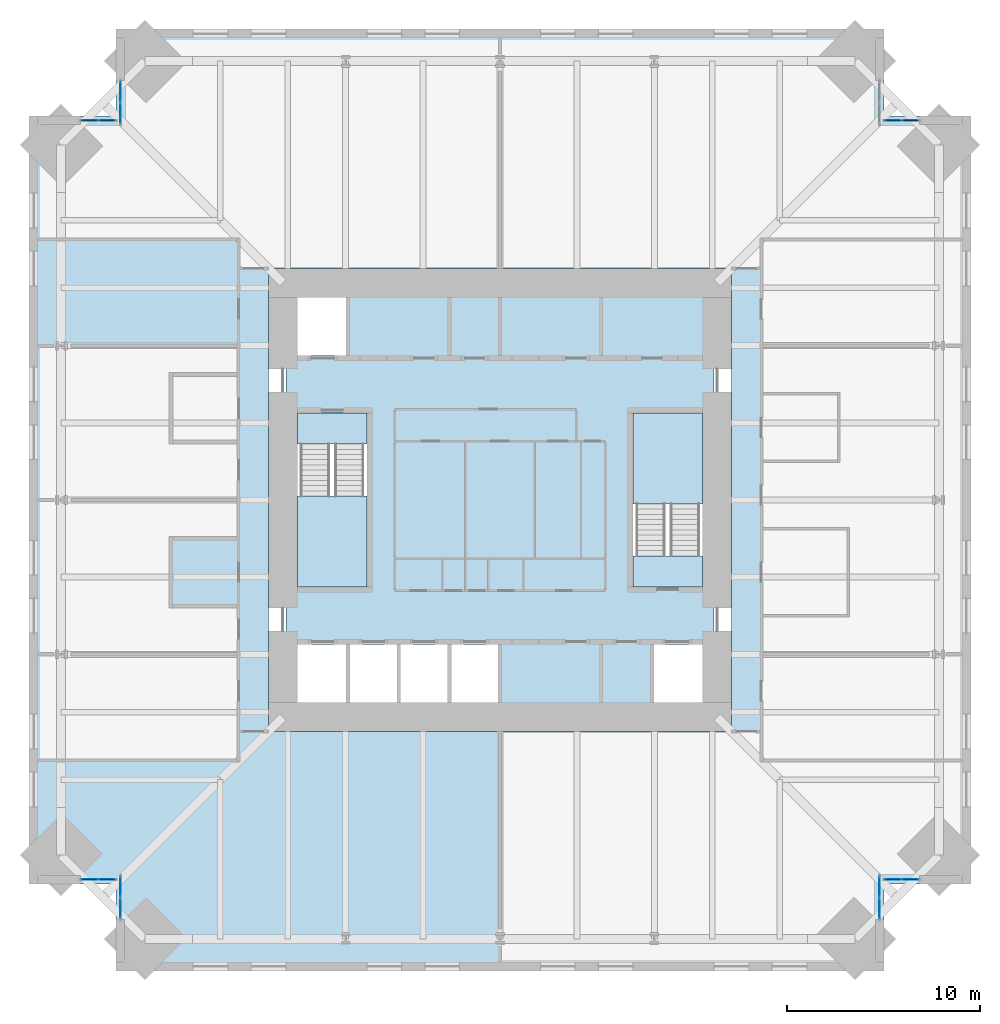
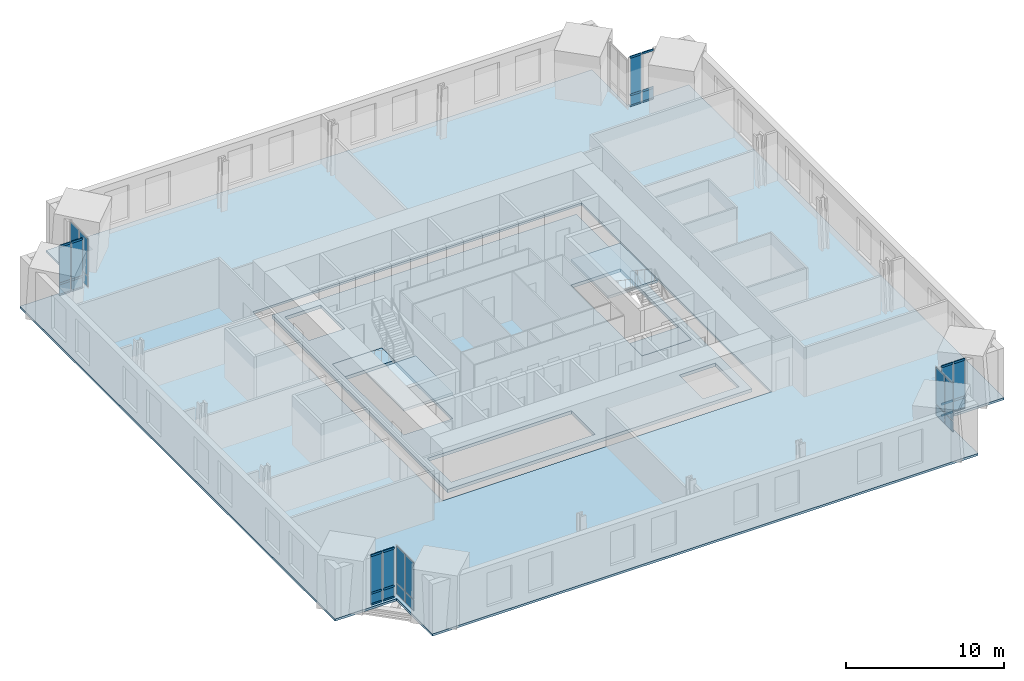
# One storey, part 9 of 15: 27 plates, 24 members, 6 slabs, 9 elements without a shape of their own.
"""IFC4 building model written with IfcOpenShell, lengths in metres."""

from ifc_helpers import new_model, si_unit, direction, frame, origin, origin_2d, place, context, subcontext, project, spatial, polyline, rectangle, hollow_rectangle, outline, extrude, material, layer, layer_set, material_profile, profile_set, type_object, element, aggregate, save


model = new_model("IFC4")

# Units and contexts
model_context = context("Model", 3, precision=1e-05, world=origin(), true_north=direction((0.0, 1.0)))
body_context = subcontext(model_context, "Body", "Model", "MODEL_VIEW")
ifc_project = project(units=[si_unit("LENGTHUNIT", "METRE"), si_unit("AREAUNIT", "SQUARE_METRE"), si_unit("VOLUMEUNIT", "CUBIC_METRE"), si_unit("PLANEANGLEUNIT", "RADIAN"), si_unit("MASSUNIT", "GRAM", prefix="KILO")], contexts=[model_context])

# Site, building, storey
site_placement = place(None, origin())
site = spatial("IfcSite", under=ifc_project, at=site_placement, CompositionType="ELEMENT")
building_placement = place(site_placement, origin())
building = spatial("IfcBuilding", under=site, at=building_placement, Name="Peilmerk Tower", CompositionType="ELEMENT")
storey_placement = place(building_placement, frame((0.0, 0.0, 201.800048828125)))
storey = spatial("IfcBuildingStorey", under=building, at=storey_placement, Name="L43", CompositionType="ELEMENT", Elevation=201.800048828125)

# Curtain wall, members
ifc_material_1 = material(Name="Aluminium stick curtain wall", Category="aluminium")
curtain_wall_type = type_object("IfcCurtainWallType", Name="CW4 stick curtain wall, 2250 module", PredefinedType="NOTDEFINED", material=ifc_material_1)
curtain_wall_1_placement = place(storey_placement, origin())
curtain_wall_1 = element("IfcCurtainWall", 1, at=curtain_wall_1_placement, inside=storey, type_object=curtain_wall_type, Name="Curtain wall CW4 NEB L43", PredefinedType="NOTDEFINED")
ifc_material_2 = material(Name="Aluminium EN AW-6063 T6", Category="aluminium")
ifc_material_profile = material_profile(ifc_material_2, hollow_rectangle(XDim=0.06494140625, YDim=0.14990234375, WallThickness=0.0029296875, at=origin_2d()), Name="AL 150x65x3")
ifc_profile_set = profile_set([ifc_material_profile], Name="Aluminium EN AW-6063 T6")
member_type = type_object("IfcMemberType", Name="CW4-T AL 150x65x3 transom", PredefinedType="USERDEFINED", material=ifc_profile_set)
member_1_placement = place(storey_placement, frame((19.965087890625, 19.675048828125, 0.032470703125), z_axis=(1.0, 0.0, 0.0), x_axis=(0.0, 1.0, 0.0)))
member_1 = element("IfcMember", 2, at=member_1_placement, type_object=member_type, Name="CW4 transom 1.1", ObjectType="TRANSOM", PredefinedType="USERDEFINED", context=body_context, shape_type="SweptSolid", body=[
    extrude(hollow_rectangle(XDim=0.06494140625, YDim=0.14990234375, WallThickness=0.0029296875, at=origin_2d()), origin(), (0.0, 0.0, 1.0), 0.82177734375),
])
member_2_placement = place(storey_placement, frame((19.965087890625, 19.675048828125, 0.89990234375), z_axis=(1.0, 0.0, 0.0), x_axis=(0.0, 1.0, 0.0)))
member_2 = element("IfcMember", 3, at=member_2_placement, type_object=member_type, Name="CW4 transom 1.2", ObjectType="TRANSOM", PredefinedType="USERDEFINED", context=body_context, shape_type="SweptSolid", body=[
    extrude(hollow_rectangle(XDim=0.06494140625, YDim=0.14990234375, WallThickness=0.0029296875, at=origin_2d()), origin(), (0.0, 0.0, 1.0), 0.82177734375),
])
member_3_placement = place(storey_placement, frame((19.965087890625, 19.675048828125, 3.79736328125), z_axis=(1.0, 0.0, 0.0), x_axis=(0.0, 1.0, 0.0)))
member_3 = element("IfcMember", 4, at=member_3_placement, type_object=member_type, Name="CW4 transom 1.3", ObjectType="TRANSOM", PredefinedType="USERDEFINED", context=body_context, shape_type="SweptSolid", body=[
    extrude(hollow_rectangle(XDim=0.06494140625, YDim=0.14990234375, WallThickness=0.0029296875, at=origin_2d()), origin(), (0.0, 0.0, 1.0), 0.82177734375),
])
member_4_placement = place(storey_placement, frame((20.851806640625, 19.675048828125, 0.032470703125), z_axis=(1.0, 0.0, 0.0), x_axis=(0.0, 1.0, 0.0)))
member_4 = element("IfcMember", 5, at=member_4_placement, type_object=member_type, Name="CW4 transom 2.1", ObjectType="TRANSOM", PredefinedType="USERDEFINED", context=body_context, shape_type="SweptSolid", body=[
    extrude(hollow_rectangle(XDim=0.06494140625, YDim=0.14990234375, WallThickness=0.0029296875, at=origin_2d()), origin(), (0.0, 0.0, 1.0), 0.82177734375),
])
member_5_placement = place(storey_placement, frame((20.851806640625, 19.675048828125, 0.89990234375), z_axis=(1.0, 0.0, 0.0), x_axis=(0.0, 1.0, 0.0)))
member_5 = element("IfcMember", 6, at=member_5_placement, type_object=member_type, Name="CW4 transom 2.2", ObjectType="TRANSOM", PredefinedType="USERDEFINED", context=body_context, shape_type="SweptSolid", body=[
    extrude(hollow_rectangle(XDim=0.06494140625, YDim=0.14990234375, WallThickness=0.0029296875, at=origin_2d()), origin(), (0.0, 0.0, 1.0), 0.82177734375),
])
member_6_placement = place(storey_placement, frame((20.851806640625, 19.675048828125, 3.79736328125), z_axis=(1.0, 0.0, 0.0), x_axis=(0.0, 1.0, 0.0)))
member_6 = element("IfcMember", 7, at=member_6_placement, type_object=member_type, Name="CW4 transom 2.3", ObjectType="TRANSOM", PredefinedType="USERDEFINED", context=body_context, shape_type="SweptSolid", body=[
    extrude(hollow_rectangle(XDim=0.06494140625, YDim=0.14990234375, WallThickness=0.0029296875, at=origin_2d()), origin(), (0.0, 0.0, 1.0), 0.82177734375),
])

curtain_wall_2_placement = place(storey_placement, origin())
curtain_wall_2 = element("IfcCurtainWall", 8, at=curtain_wall_2_placement, inside=storey, type_object=curtain_wall_type, Name="Curtain wall CW4 SEB L43", PredefinedType="NOTDEFINED")
member_7_placement = place(storey_placement, frame((19.965087890625, -19.675048828125, 0.032470703125), z_axis=(1.0, 0.0, 0.0), x_axis=(0.0, 1.0, 0.0)))
member_7 = element("IfcMember", 9, at=member_7_placement, type_object=member_type, Name="CW4 transom 1.1", ObjectType="TRANSOM", PredefinedType="USERDEFINED", context=body_context, shape_type="SweptSolid", body=[
    extrude(hollow_rectangle(XDim=0.06494140625, YDim=0.14990234375, WallThickness=0.0029296875, at=origin_2d()), origin(), (0.0, 0.0, 1.0), 0.82177734375),
])
member_8_placement = place(storey_placement, frame((19.965087890625, -19.675048828125, 0.89990234375), z_axis=(1.0, 0.0, 0.0), x_axis=(0.0, 1.0, 0.0)))
member_8 = element("IfcMember", 10, at=member_8_placement, type_object=member_type, Name="CW4 transom 1.2", ObjectType="TRANSOM", PredefinedType="USERDEFINED", context=body_context, shape_type="SweptSolid", body=[
    extrude(hollow_rectangle(XDim=0.06494140625, YDim=0.14990234375, WallThickness=0.0029296875, at=origin_2d()), origin(), (0.0, 0.0, 1.0), 0.82177734375),
])
member_9_placement = place(storey_placement, frame((19.965087890625, -19.675048828125, 3.79736328125), z_axis=(1.0, 0.0, 0.0), x_axis=(0.0, 1.0, 0.0)))
member_9 = element("IfcMember", 11, at=member_9_placement, type_object=member_type, Name="CW4 transom 1.3", ObjectType="TRANSOM", PredefinedType="USERDEFINED", context=body_context, shape_type="SweptSolid", body=[
    extrude(hollow_rectangle(XDim=0.06494140625, YDim=0.14990234375, WallThickness=0.0029296875, at=origin_2d()), origin(), (0.0, 0.0, 1.0), 0.82177734375),
])
member_10_placement = place(storey_placement, frame((20.851806640625, -19.675048828125, 0.032470703125), z_axis=(1.0, 0.0, 0.0), x_axis=(0.0, 1.0, 0.0)))
member_10 = element("IfcMember", 12, at=member_10_placement, type_object=member_type, Name="CW4 transom 2.1", ObjectType="TRANSOM", PredefinedType="USERDEFINED", context=body_context, shape_type="SweptSolid", body=[
    extrude(hollow_rectangle(XDim=0.06494140625, YDim=0.14990234375, WallThickness=0.0029296875, at=origin_2d()), origin(), (0.0, 0.0, 1.0), 0.82177734375),
])
member_11_placement = place(storey_placement, frame((20.851806640625, -19.675048828125, 0.89990234375), z_axis=(1.0, 0.0, 0.0), x_axis=(0.0, 1.0, 0.0)))
member_11 = element("IfcMember", 13, at=member_11_placement, type_object=member_type, Name="CW4 transom 2.2", ObjectType="TRANSOM", PredefinedType="USERDEFINED", context=body_context, shape_type="SweptSolid", body=[
    extrude(hollow_rectangle(XDim=0.06494140625, YDim=0.14990234375, WallThickness=0.0029296875, at=origin_2d()), origin(), (0.0, 0.0, 1.0), 0.82177734375),
])
member_12_placement = place(storey_placement, frame((20.851806640625, -19.675048828125, 3.79736328125), z_axis=(1.0, 0.0, 0.0), x_axis=(0.0, 1.0, 0.0)))
member_12 = element("IfcMember", 14, at=member_12_placement, type_object=member_type, Name="CW4 transom 2.3", ObjectType="TRANSOM", PredefinedType="USERDEFINED", context=body_context, shape_type="SweptSolid", body=[
    extrude(hollow_rectangle(XDim=0.06494140625, YDim=0.14990234375, WallThickness=0.0029296875, at=origin_2d()), origin(), (0.0, 0.0, 1.0), 0.82177734375),
])

curtain_wall_3_placement = place(storey_placement, origin())
curtain_wall_3 = element("IfcCurtainWall", 15, at=curtain_wall_3_placement, inside=storey, type_object=curtain_wall_type, Name="Curtain wall CW4 SWB L43", PredefinedType="NOTDEFINED")
member_13_placement = place(storey_placement, frame((-19.965087890625, -19.675048828125, 0.032470703125), z_axis=(-1.0, 0.0, 0.0), x_axis=(0.0, -1.0, 0.0)))
member_13 = element("IfcMember", 16, at=member_13_placement, type_object=member_type, Name="CW4 transom 1.1", ObjectType="TRANSOM", PredefinedType="USERDEFINED", context=body_context, shape_type="SweptSolid", body=[
    extrude(hollow_rectangle(XDim=0.06494140625, YDim=0.14990234375, WallThickness=0.0029296875, at=origin_2d()), origin(), (0.0, 0.0, 1.0), 0.82177734375),
])
member_14_placement = place(storey_placement, frame((-19.965087890625, -19.675048828125, 0.89990234375), z_axis=(-1.0, 0.0, 0.0), x_axis=(0.0, -1.0, 0.0)))
member_14 = element("IfcMember", 17, at=member_14_placement, type_object=member_type, Name="CW4 transom 1.2", ObjectType="TRANSOM", PredefinedType="USERDEFINED", context=body_context, shape_type="SweptSolid", body=[
    extrude(hollow_rectangle(XDim=0.06494140625, YDim=0.14990234375, WallThickness=0.0029296875, at=origin_2d()), origin(), (0.0, 0.0, 1.0), 0.82177734375),
])
member_15_placement = place(storey_placement, frame((-19.965087890625, -19.675048828125, 3.79736328125), z_axis=(-1.0, 0.0, 0.0), x_axis=(0.0, -1.0, 0.0)))
member_15 = element("IfcMember", 18, at=member_15_placement, type_object=member_type, Name="CW4 transom 1.3", ObjectType="TRANSOM", PredefinedType="USERDEFINED", context=body_context, shape_type="SweptSolid", body=[
    extrude(hollow_rectangle(XDim=0.06494140625, YDim=0.14990234375, WallThickness=0.0029296875, at=origin_2d()), origin(), (0.0, 0.0, 1.0), 0.82177734375),
])
member_16_placement = place(storey_placement, frame((-20.851806640625, -19.675048828125, 0.032470703125), z_axis=(-1.0, 0.0, 0.0), x_axis=(0.0, -1.0, 0.0)))
member_16 = element("IfcMember", 19, at=member_16_placement, type_object=member_type, Name="CW4 transom 2.1", ObjectType="TRANSOM", PredefinedType="USERDEFINED", context=body_context, shape_type="SweptSolid", body=[
    extrude(hollow_rectangle(XDim=0.06494140625, YDim=0.14990234375, WallThickness=0.0029296875, at=origin_2d()), origin(), (0.0, 0.0, 1.0), 0.82177734375),
])
member_17_placement = place(storey_placement, frame((-20.851806640625, -19.675048828125, 0.89990234375), z_axis=(-1.0, 0.0, 0.0), x_axis=(0.0, -1.0, 0.0)))
member_17 = element("IfcMember", 20, at=member_17_placement, type_object=member_type, Name="CW4 transom 2.2", ObjectType="TRANSOM", PredefinedType="USERDEFINED", context=body_context, shape_type="SweptSolid", body=[
    extrude(hollow_rectangle(XDim=0.06494140625, YDim=0.14990234375, WallThickness=0.0029296875, at=origin_2d()), origin(), (0.0, 0.0, 1.0), 0.82177734375),
])
member_18_placement = place(storey_placement, frame((-20.851806640625, -19.675048828125, 3.79736328125), z_axis=(-1.0, 0.0, 0.0), x_axis=(0.0, -1.0, 0.0)))
member_18 = element("IfcMember", 21, at=member_18_placement, type_object=member_type, Name="CW4 transom 2.3", ObjectType="TRANSOM", PredefinedType="USERDEFINED", context=body_context, shape_type="SweptSolid", body=[
    extrude(hollow_rectangle(XDim=0.06494140625, YDim=0.14990234375, WallThickness=0.0029296875, at=origin_2d()), origin(), (0.0, 0.0, 1.0), 0.82177734375),
])

curtain_wall_4_placement = place(storey_placement, origin())
curtain_wall_4 = element("IfcCurtainWall", 22, at=curtain_wall_4_placement, inside=storey, type_object=curtain_wall_type, Name="Curtain wall CW4 NWB L43", PredefinedType="NOTDEFINED")
member_19_placement = place(storey_placement, frame((-19.965087890625, 19.675048828125, 0.032470703125), z_axis=(-1.0, 0.0, 0.0), x_axis=(0.0, -1.0, 0.0)))
member_19 = element("IfcMember", 23, at=member_19_placement, type_object=member_type, Name="CW4 transom 1.1", ObjectType="TRANSOM", PredefinedType="USERDEFINED", context=body_context, shape_type="SweptSolid", body=[
    extrude(hollow_rectangle(XDim=0.06494140625, YDim=0.14990234375, WallThickness=0.0029296875, at=origin_2d()), origin(), (0.0, 0.0, 1.0), 0.82177734375),
])
member_20_placement = place(storey_placement, frame((-19.965087890625, 19.675048828125, 0.89990234375), z_axis=(-1.0, 0.0, 0.0), x_axis=(0.0, -1.0, 0.0)))
member_20 = element("IfcMember", 24, at=member_20_placement, type_object=member_type, Name="CW4 transom 1.2", ObjectType="TRANSOM", PredefinedType="USERDEFINED", context=body_context, shape_type="SweptSolid", body=[
    extrude(hollow_rectangle(XDim=0.06494140625, YDim=0.14990234375, WallThickness=0.0029296875, at=origin_2d()), origin(), (0.0, 0.0, 1.0), 0.82177734375),
])
member_21_placement = place(storey_placement, frame((-19.965087890625, 19.675048828125, 3.79736328125), z_axis=(-1.0, 0.0, 0.0), x_axis=(0.0, -1.0, 0.0)))
member_21 = element("IfcMember", 25, at=member_21_placement, type_object=member_type, Name="CW4 transom 1.3", ObjectType="TRANSOM", PredefinedType="USERDEFINED", context=body_context, shape_type="SweptSolid", body=[
    extrude(hollow_rectangle(XDim=0.06494140625, YDim=0.14990234375, WallThickness=0.0029296875, at=origin_2d()), origin(), (0.0, 0.0, 1.0), 0.82177734375),
])
member_22_placement = place(storey_placement, frame((-20.851806640625, 19.675048828125, 0.032470703125), z_axis=(-1.0, 0.0, 0.0), x_axis=(0.0, -1.0, 0.0)))
member_22 = element("IfcMember", 26, at=member_22_placement, type_object=member_type, Name="CW4 transom 2.1", ObjectType="TRANSOM", PredefinedType="USERDEFINED", context=body_context, shape_type="SweptSolid", body=[
    extrude(hollow_rectangle(XDim=0.06494140625, YDim=0.14990234375, WallThickness=0.0029296875, at=origin_2d()), origin(), (0.0, 0.0, 1.0), 0.82177734375),
])
member_23_placement = place(storey_placement, frame((-20.851806640625, 19.675048828125, 0.89990234375), z_axis=(-1.0, 0.0, 0.0), x_axis=(0.0, -1.0, 0.0)))
member_23 = element("IfcMember", 27, at=member_23_placement, type_object=member_type, Name="CW4 transom 2.2", ObjectType="TRANSOM", PredefinedType="USERDEFINED", context=body_context, shape_type="SweptSolid", body=[
    extrude(hollow_rectangle(XDim=0.06494140625, YDim=0.14990234375, WallThickness=0.0029296875, at=origin_2d()), origin(), (0.0, 0.0, 1.0), 0.82177734375),
])
member_24_placement = place(storey_placement, frame((-20.851806640625, 19.675048828125, 3.79736328125), z_axis=(-1.0, 0.0, 0.0), x_axis=(0.0, -1.0, 0.0)))
member_24 = element("IfcMember", 28, at=member_24_placement, type_object=member_type, Name="CW4 transom 2.3", ObjectType="TRANSOM", PredefinedType="USERDEFINED", context=body_context, shape_type="SweptSolid", body=[
    extrude(hollow_rectangle(XDim=0.06494140625, YDim=0.14990234375, WallThickness=0.0029296875, at=origin_2d()), origin(), (0.0, 0.0, 1.0), 0.82177734375),
])

# Slab
ifc_material_3 = material(Name="Concrete C55/67", Category="concrete")
ifc_layer_1 = layer(ifc_material_3, 0.25)
ifc_layer_set_1 = layer_set([ifc_layer_1], Name="Concrete C55/67")
slab_type_1 = type_object("IfcSlabType", Name="CS250 250 core floor slab", PredefinedType="FLOOR", material=ifc_layer_set_1)
slab_1_placement = place(storey_placement, frame((0.0, 0.0, -0.25)))
element("IfcSlab", 29, at=slab_1_placement, inside=storey, type_object=slab_type_1, Name="Core slab L43", PredefinedType="FLOOR", context=body_context, shape_type="SweptSolid", body=[
    extrude(outline(polyline([(11.10009765625, -11.10009765625), (11.10009765625, 11.10009765625), (-11.10009765625, 11.10009765625), (-11.10009765625, -11.10009765625), (11.10009765625, -11.10009765625)]), holes=[polyline([(-7.875, 7.5), (-10.5, 7.5), (-10.5, 10.5), (-7.875, 10.5), (-7.875, 7.5)]), polyline([(0.0, -10.5), (-10.5, -10.5), (-10.5, -7.5), (0.0, -7.5), (0.0, -10.5)]), polyline([(7.875, -10.5), (7.875, -7.5), (10.5, -7.5), (10.5, -10.5), (7.875, -10.5)]), polyline([(-10.5, 4.5), (-6.89990234375, 4.5), (-6.89990234375, -4.5), (-10.5, -4.5), (-10.5, 4.5)]), polyline([(10.5, 4.5), (10.5, -4.5), (6.89990234375, -4.5), (6.89990234375, 4.5), (10.5, 4.5)])]), origin(), (0.0, 0.0, 1.0), 0.25),
])

# Plate
ifc_material_4 = material(Name="Clear insulated glazing unit", Category="glass")
ifc_layer_2 = layer(ifc_material_4, 0.028076171875)
ifc_layer_set_2 = layer_set([ifc_layer_2], Name="Clear insulated glazing unit")
plate_type = type_object("IfcPlateType", Name="CW4-P 28 glazed panel", PredefinedType="CURTAIN_PANEL", material=ifc_layer_set_2)
plate_1_placement = place(storey_placement, frame((20.3759765625, 19.675048828125, 0.06494140625), z_axis=(0.0, 0.0, 1.0), x_axis=(1.0, 0.0, 0.0)))
plate_1 = element("IfcPlate", 30, at=plate_1_placement, type_object=plate_type, Name="CW4 panel 1.1", PredefinedType="CURTAIN_PANEL", context=body_context, shape_type="SweptSolid", body=[
    extrude(rectangle(XDim=0.82177734375, YDim=0.028076171875, at=origin_2d()), origin(), (0.0, 0.0, 1.0), 0.802490234375),
])

plate_2_placement = place(storey_placement, frame((20.3759765625, 19.675048828125, 0.932373046875), z_axis=(0.0, 0.0, 1.0), x_axis=(1.0, 0.0, 0.0)))
plate_2 = element("IfcPlate", 31, at=plate_2_placement, type_object=plate_type, Name="CW4 panel 1.2", PredefinedType="CURTAIN_PANEL", context=body_context, shape_type="SweptSolid", body=[
    extrude(rectangle(XDim=0.82177734375, YDim=0.028076171875, at=origin_2d()), origin(), (0.0, 0.0, 1.0), 2.83251953125),
])

plate_3_placement = place(storey_placement, frame((21.2626953125, 19.675048828125, 0.06494140625), z_axis=(0.0, 0.0, 1.0), x_axis=(1.0, 0.0, 0.0)))
plate_3 = element("IfcPlate", 32, at=plate_3_placement, type_object=plate_type, Name="CW4 panel 2.1", PredefinedType="CURTAIN_PANEL", context=body_context, shape_type="SweptSolid", body=[
    extrude(rectangle(XDim=0.82177734375, YDim=0.028076171875, at=origin_2d()), origin(), (0.0, 0.0, 1.0), 0.802490234375),
])

aggregate(curtain_wall_1, [member_1, member_2, member_3, plate_1, plate_2, member_4, member_5, member_6, plate_3])

# Curtain wall, plates
curtain_wall_5_placement = place(storey_placement, origin())
curtain_wall_5 = element("IfcCurtainWall", 33, at=curtain_wall_5_placement, inside=storey, type_object=curtain_wall_type, Name="Curtain wall CW4 SEA L43", PredefinedType="NOTDEFINED")
plate_4_placement = place(storey_placement, frame((19.675048828125, -20.038330078125, 0.06494140625), z_axis=(0.0, 0.0, 1.0), x_axis=(0.0, -1.0, 0.0)))
plate_4 = element("IfcPlate", 34, at=plate_4_placement, type_object=plate_type, Name="CW4 panel 1.1", PredefinedType="CURTAIN_PANEL", context=body_context, shape_type="SweptSolid", body=[
    extrude(rectangle(XDim=1.046875, YDim=0.028076171875, at=origin_2d()), origin(), (0.0, 0.0, 1.0), 0.802490234375),
])
plate_5_placement = place(storey_placement, frame((19.675048828125, -20.038330078125, 0.932373046875), z_axis=(0.0, 0.0, 1.0), x_axis=(0.0, -1.0, 0.0)))
plate_5 = element("IfcPlate", 35, at=plate_5_placement, type_object=plate_type, Name="CW4 panel 1.2", PredefinedType="CURTAIN_PANEL", context=body_context, shape_type="SweptSolid", body=[
    extrude(rectangle(XDim=1.046875, YDim=0.028076171875, at=origin_2d()), origin(), (0.0, 0.0, 1.0), 2.83251953125),
])
plate_6_placement = place(storey_placement, frame((19.675048828125, -21.150146484375, 0.06494140625), z_axis=(0.0, 0.0, 1.0), x_axis=(0.0, -1.0, 0.0)))
plate_6 = element("IfcPlate", 36, at=plate_6_placement, type_object=plate_type, Name="CW4 panel 2.1", PredefinedType="CURTAIN_PANEL", context=body_context, shape_type="SweptSolid", body=[
    extrude(rectangle(XDim=1.046875, YDim=0.028076171875, at=origin_2d()), origin(), (0.0, 0.0, 1.0), 0.802490234375),
])
plate_7_placement = place(storey_placement, frame((19.675048828125, -21.150146484375, 0.932373046875), z_axis=(0.0, 0.0, 1.0), x_axis=(0.0, -1.0, 0.0)))
plate_7 = element("IfcPlate", 37, at=plate_7_placement, type_object=plate_type, Name="CW4 panel 2.2", PredefinedType="CURTAIN_PANEL", context=body_context, shape_type="SweptSolid", body=[
    extrude(rectangle(XDim=1.046875, YDim=0.028076171875, at=origin_2d()), origin(), (0.0, 0.0, 1.0), 2.83251953125),
])
aggregate(curtain_wall_5, [plate_4, plate_5, plate_6, plate_7])

# Plate
plate_8_placement = place(storey_placement, frame((20.3759765625, -19.675048828125, 0.06494140625), z_axis=(0.0, 0.0, 1.0), x_axis=(1.0, 0.0, 0.0)))
plate_8 = element("IfcPlate", 38, at=plate_8_placement, type_object=plate_type, Name="CW4 panel 1.1", PredefinedType="CURTAIN_PANEL", context=body_context, shape_type="SweptSolid", body=[
    extrude(rectangle(XDim=0.82177734375, YDim=0.028076171875, at=origin_2d()), origin(), (0.0, 0.0, 1.0), 0.802490234375),
])

plate_9_placement = place(storey_placement, frame((20.3759765625, -19.675048828125, 0.932373046875), z_axis=(0.0, 0.0, 1.0), x_axis=(1.0, 0.0, 0.0)))
plate_9 = element("IfcPlate", 39, at=plate_9_placement, type_object=plate_type, Name="CW4 panel 1.2", PredefinedType="CURTAIN_PANEL", context=body_context, shape_type="SweptSolid", body=[
    extrude(rectangle(XDim=0.82177734375, YDim=0.028076171875, at=origin_2d()), origin(), (0.0, 0.0, 1.0), 2.83251953125),
])

plate_10_placement = place(storey_placement, frame((21.2626953125, -19.675048828125, 0.06494140625), z_axis=(0.0, 0.0, 1.0), x_axis=(1.0, 0.0, 0.0)))
plate_10 = element("IfcPlate", 40, at=plate_10_placement, type_object=plate_type, Name="CW4 panel 2.1", PredefinedType="CURTAIN_PANEL", context=body_context, shape_type="SweptSolid", body=[
    extrude(rectangle(XDim=0.82177734375, YDim=0.028076171875, at=origin_2d()), origin(), (0.0, 0.0, 1.0), 0.802490234375),
])

plate_11_placement = place(storey_placement, frame((21.2626953125, -19.675048828125, 0.932373046875), z_axis=(0.0, 0.0, 1.0), x_axis=(1.0, 0.0, 0.0)))
plate_11 = element("IfcPlate", 41, at=plate_11_placement, type_object=plate_type, Name="CW4 panel 2.2", PredefinedType="CURTAIN_PANEL", context=body_context, shape_type="SweptSolid", body=[
    extrude(rectangle(XDim=0.82177734375, YDim=0.028076171875, at=origin_2d()), origin(), (0.0, 0.0, 1.0), 2.83251953125),
])

aggregate(curtain_wall_2, [member_7, member_8, member_9, plate_8, plate_9, member_10, member_11, member_12, plate_10, plate_11])

# Curtain wall, plates
curtain_wall_6_placement = place(storey_placement, origin())
curtain_wall_6 = element("IfcCurtainWall", 42, at=curtain_wall_6_placement, inside=storey, type_object=curtain_wall_type, Name="Curtain wall CW4 SWA L43", PredefinedType="NOTDEFINED")
plate_12_placement = place(storey_placement, frame((-19.675048828125, -20.038330078125, 0.06494140625), z_axis=(0.0, 0.0, 1.0), x_axis=(0.0, -1.0, 0.0)))
plate_12 = element("IfcPlate", 43, at=plate_12_placement, type_object=plate_type, Name="CW4 panel 1.1", PredefinedType="CURTAIN_PANEL", context=body_context, shape_type="SweptSolid", body=[
    extrude(rectangle(XDim=1.046875, YDim=0.028076171875, at=origin_2d()), origin(), (0.0, 0.0, 1.0), 0.802490234375),
])
plate_13_placement = place(storey_placement, frame((-19.675048828125, -20.038330078125, 0.932373046875), z_axis=(0.0, 0.0, 1.0), x_axis=(0.0, -1.0, 0.0)))
plate_13 = element("IfcPlate", 44, at=plate_13_placement, type_object=plate_type, Name="CW4 panel 1.2", PredefinedType="CURTAIN_PANEL", context=body_context, shape_type="SweptSolid", body=[
    extrude(rectangle(XDim=1.046875, YDim=0.028076171875, at=origin_2d()), origin(), (0.0, 0.0, 1.0), 2.83251953125),
])
plate_14_placement = place(storey_placement, frame((-19.675048828125, -21.150146484375, 0.06494140625), z_axis=(0.0, 0.0, 1.0), x_axis=(0.0, -1.0, 0.0)))
plate_14 = element("IfcPlate", 45, at=plate_14_placement, type_object=plate_type, Name="CW4 panel 2.1", PredefinedType="CURTAIN_PANEL", context=body_context, shape_type="SweptSolid", body=[
    extrude(rectangle(XDim=1.046875, YDim=0.028076171875, at=origin_2d()), origin(), (0.0, 0.0, 1.0), 0.802490234375),
])
plate_15_placement = place(storey_placement, frame((-19.675048828125, -21.150146484375, 0.932373046875), z_axis=(0.0, 0.0, 1.0), x_axis=(0.0, -1.0, 0.0)))
plate_15 = element("IfcPlate", 46, at=plate_15_placement, type_object=plate_type, Name="CW4 panel 2.2", PredefinedType="CURTAIN_PANEL", context=body_context, shape_type="SweptSolid", body=[
    extrude(rectangle(XDim=1.046875, YDim=0.028076171875, at=origin_2d()), origin(), (0.0, 0.0, 1.0), 2.83251953125),
])
aggregate(curtain_wall_6, [plate_12, plate_13, plate_14, plate_15])

# Plate
plate_16_placement = place(storey_placement, frame((-20.3759765625, -19.675048828125, 0.06494140625), z_axis=(0.0, 0.0, 1.0), x_axis=(-1.0, 0.0, 0.0)))
plate_16 = element("IfcPlate", 47, at=plate_16_placement, type_object=plate_type, Name="CW4 panel 1.1", PredefinedType="CURTAIN_PANEL", context=body_context, shape_type="SweptSolid", body=[
    extrude(rectangle(XDim=0.82177734375, YDim=0.028076171875, at=origin_2d()), origin(), (0.0, 0.0, 1.0), 0.802490234375),
])

plate_17_placement = place(storey_placement, frame((-20.3759765625, -19.675048828125, 0.932373046875), z_axis=(0.0, 0.0, 1.0), x_axis=(-1.0, 0.0, 0.0)))
plate_17 = element("IfcPlate", 48, at=plate_17_placement, type_object=plate_type, Name="CW4 panel 1.2", PredefinedType="CURTAIN_PANEL", context=body_context, shape_type="SweptSolid", body=[
    extrude(rectangle(XDim=0.82177734375, YDim=0.028076171875, at=origin_2d()), origin(), (0.0, 0.0, 1.0), 2.83251953125),
])

plate_18_placement = place(storey_placement, frame((-21.2626953125, -19.675048828125, 0.06494140625), z_axis=(0.0, 0.0, 1.0), x_axis=(-1.0, 0.0, 0.0)))
plate_18 = element("IfcPlate", 49, at=plate_18_placement, type_object=plate_type, Name="CW4 panel 2.1", PredefinedType="CURTAIN_PANEL", context=body_context, shape_type="SweptSolid", body=[
    extrude(rectangle(XDim=0.82177734375, YDim=0.028076171875, at=origin_2d()), origin(), (0.0, 0.0, 1.0), 0.802490234375),
])

plate_19_placement = place(storey_placement, frame((-21.2626953125, -19.675048828125, 0.932373046875), z_axis=(0.0, 0.0, 1.0), x_axis=(-1.0, 0.0, 0.0)))
plate_19 = element("IfcPlate", 50, at=plate_19_placement, type_object=plate_type, Name="CW4 panel 2.2", PredefinedType="CURTAIN_PANEL", context=body_context, shape_type="SweptSolid", body=[
    extrude(rectangle(XDim=0.82177734375, YDim=0.028076171875, at=origin_2d()), origin(), (0.0, 0.0, 1.0), 2.83251953125),
])

aggregate(curtain_wall_3, [member_13, member_14, member_15, plate_16, plate_17, member_16, member_17, member_18, plate_18, plate_19])

# Curtain wall, plates
curtain_wall_7_placement = place(storey_placement, origin())
curtain_wall_7 = element("IfcCurtainWall", 51, at=curtain_wall_7_placement, inside=storey, type_object=curtain_wall_type, Name="Curtain wall CW4 NWA L43", PredefinedType="NOTDEFINED")
plate_20_placement = place(storey_placement, frame((-19.675048828125, 20.038330078125, 0.06494140625), z_axis=(0.0, 0.0, 1.0), x_axis=(0.0, 1.0, 0.0)))
plate_20 = element("IfcPlate", 52, at=plate_20_placement, type_object=plate_type, Name="CW4 panel 1.1", PredefinedType="CURTAIN_PANEL", context=body_context, shape_type="SweptSolid", body=[
    extrude(rectangle(XDim=1.046875, YDim=0.028076171875, at=origin_2d()), origin(), (0.0, 0.0, 1.0), 0.802490234375),
])
plate_21_placement = place(storey_placement, frame((-19.675048828125, 20.038330078125, 0.932373046875), z_axis=(0.0, 0.0, 1.0), x_axis=(0.0, 1.0, 0.0)))
plate_21 = element("IfcPlate", 53, at=plate_21_placement, type_object=plate_type, Name="CW4 panel 1.2", PredefinedType="CURTAIN_PANEL", context=body_context, shape_type="SweptSolid", body=[
    extrude(rectangle(XDim=1.046875, YDim=0.028076171875, at=origin_2d()), origin(), (0.0, 0.0, 1.0), 2.83251953125),
])
plate_22_placement = place(storey_placement, frame((-19.675048828125, 21.150146484375, 0.06494140625), z_axis=(0.0, 0.0, 1.0), x_axis=(0.0, 1.0, 0.0)))
plate_22 = element("IfcPlate", 54, at=plate_22_placement, type_object=plate_type, Name="CW4 panel 2.1", PredefinedType="CURTAIN_PANEL", context=body_context, shape_type="SweptSolid", body=[
    extrude(rectangle(XDim=1.046875, YDim=0.028076171875, at=origin_2d()), origin(), (0.0, 0.0, 1.0), 0.802490234375),
])
plate_23_placement = place(storey_placement, frame((-19.675048828125, 21.150146484375, 0.932373046875), z_axis=(0.0, 0.0, 1.0), x_axis=(0.0, 1.0, 0.0)))
plate_23 = element("IfcPlate", 55, at=plate_23_placement, type_object=plate_type, Name="CW4 panel 2.2", PredefinedType="CURTAIN_PANEL", context=body_context, shape_type="SweptSolid", body=[
    extrude(rectangle(XDim=1.046875, YDim=0.028076171875, at=origin_2d()), origin(), (0.0, 0.0, 1.0), 2.83251953125),
])
aggregate(curtain_wall_7, [plate_20, plate_21, plate_22, plate_23])

# Plate
plate_24_placement = place(storey_placement, frame((-20.3759765625, 19.675048828125, 0.06494140625), z_axis=(0.0, 0.0, 1.0), x_axis=(-1.0, 0.0, 0.0)))
plate_24 = element("IfcPlate", 56, at=plate_24_placement, type_object=plate_type, Name="CW4 panel 1.1", PredefinedType="CURTAIN_PANEL", context=body_context, shape_type="SweptSolid", body=[
    extrude(rectangle(XDim=0.82177734375, YDim=0.028076171875, at=origin_2d()), origin(), (0.0, 0.0, 1.0), 0.802490234375),
])

plate_25_placement = place(storey_placement, frame((-20.3759765625, 19.675048828125, 0.932373046875), z_axis=(0.0, 0.0, 1.0), x_axis=(-1.0, 0.0, 0.0)))
plate_25 = element("IfcPlate", 57, at=plate_25_placement, type_object=plate_type, Name="CW4 panel 1.2", PredefinedType="CURTAIN_PANEL", context=body_context, shape_type="SweptSolid", body=[
    extrude(rectangle(XDim=0.82177734375, YDim=0.028076171875, at=origin_2d()), origin(), (0.0, 0.0, 1.0), 2.83251953125),
])

plate_26_placement = place(storey_placement, frame((-21.2626953125, 19.675048828125, 0.06494140625), z_axis=(0.0, 0.0, 1.0), x_axis=(-1.0, 0.0, 0.0)))
plate_26 = element("IfcPlate", 58, at=plate_26_placement, type_object=plate_type, Name="CW4 panel 2.1", PredefinedType="CURTAIN_PANEL", context=body_context, shape_type="SweptSolid", body=[
    extrude(rectangle(XDim=0.82177734375, YDim=0.028076171875, at=origin_2d()), origin(), (0.0, 0.0, 1.0), 0.802490234375),
])

plate_27_placement = place(storey_placement, frame((-21.2626953125, 19.675048828125, 0.932373046875), z_axis=(0.0, 0.0, 1.0), x_axis=(-1.0, 0.0, 0.0)))
plate_27 = element("IfcPlate", 59, at=plate_27_placement, type_object=plate_type, Name="CW4 panel 2.2", PredefinedType="CURTAIN_PANEL", context=body_context, shape_type="SweptSolid", body=[
    extrude(rectangle(XDim=0.82177734375, YDim=0.028076171875, at=origin_2d()), origin(), (0.0, 0.0, 1.0), 2.83251953125),
])

aggregate(curtain_wall_4, [member_19, member_20, member_21, plate_24, plate_25, member_22, member_23, member_24, plate_26, plate_27])

# Slab
ifc_material_5 = material(Name="Concrete C35/45", Category="concrete")
ifc_layer_3 = layer(ifc_material_5, 0.169921875)
ifc_layer_set_3 = layer_set([ifc_layer_3], Name="Concrete C35/45")
slab_type_2 = type_object("IfcSlabType", Name="FS170 170 composite floor slab", PredefinedType="FLOOR", material=ifc_layer_set_3)
slab_2_placement = place(storey_placement, frame((0.0, 0.0, -0.170166015625)))
element("IfcSlab", 60, at=slab_2_placement, inside=storey, type_object=slab_type_2, Name="Floor slab L43", PredefinedType="FLOOR", context=body_context, shape_type="SweptSolid", body=[
    extrude(outline(polyline([(-19.89990234375, -24.39990234375), (19.89990234375, -24.39990234375), (19.89990234375, -19.89990234375), (24.39990234375, -19.89990234375), (24.39990234375, 19.89990234375), (19.89990234375, 19.89990234375), (19.89990234375, 24.39990234375), (-19.89990234375, 24.39990234375), (-19.89990234375, 19.89990234375), (-24.39990234375, 19.89990234375), (-24.39990234375, -19.89990234375), (-19.89990234375, -19.89990234375), (-19.89990234375, -24.39990234375)]), holes=[polyline([(12.0, 12.0), (12.0, -12.0), (-12.0, -12.0), (-12.0, 12.0), (12.0, 12.0)])]), origin(), (0.0, 0.0, 1.0), 0.170166015625),
])

# Stair, slab
ifc_material_6 = material(Name="Precast concrete C45/55", Category="concrete")
stair_type_1 = type_object("IfcStairType", Name="ST1 22 risers of 181.8", PredefinedType="HALF_TURN_STAIR", material=ifc_material_6)
stair_1_placement = place(storey_placement, origin())
stair_1 = element("IfcStair", 61, at=stair_1_placement, inside=storey, type_object=stair_type_1, Name="Stair 1 L43 to L44", PredefinedType="HALF_TURN_STAIR")
ifc_layer_4 = layer(ifc_material_5, 0.199951171875)
ifc_layer_set_4 = layer_set([ifc_layer_4], Name="Concrete C35/45")
slab_type_3 = type_object("IfcSlabType", Name="SL1 200 concrete stair landing", PredefinedType="LANDING", material=ifc_layer_set_4)
slab_3_placement = place(storey_placement, frame((0.0, 0.0, 1.800048828125)))
slab_3 = element("IfcSlab", 62, at=slab_3_placement, type_object=slab_type_3, Name="ST1 landing 1", PredefinedType="LANDING", context=body_context, shape_type="SweptSolid", body=[
    extrude(outline(polyline([(-10.5, -4.5), (-6.89990234375, -4.5), (-6.89990234375, 0.199951171875), (-10.5, 0.199951171875), (-10.5, -4.5)])), origin(), (0.0, 0.0, 1.0), 0.199951171875),
])

stair_type_2 = type_object("IfcStairType", Name="ST2 22 risers of 181.8", PredefinedType="HALF_TURN_STAIR", material=ifc_material_6)
stair_2_placement = place(storey_placement, origin())
stair_2 = element("IfcStair", 63, at=stair_2_placement, inside=storey, type_object=stair_type_2, Name="Stair 2 L43 to L44", PredefinedType="HALF_TURN_STAIR")
slab_4_placement = place(storey_placement, frame((0.0, 0.0, 1.800048828125)))
slab_4 = element("IfcSlab", 64, at=slab_4_placement, type_object=slab_type_3, Name="ST2 landing 1", PredefinedType="LANDING", context=body_context, shape_type="SweptSolid", body=[
    extrude(outline(polyline([(6.89990234375, -0.199951171875), (10.5, -0.199951171875), (10.5, 4.5), (6.89990234375, 4.5), (6.89990234375, -0.199951171875)])), origin(), (0.0, 0.0, 1.0), 0.199951171875),
])

# Slab
ifc_layer_5 = layer(ifc_material_5, 0.25)
ifc_layer_set_5 = layer_set([ifc_layer_5], Name="Concrete C35/45")
slab_type_4 = type_object("IfcSlabType", Name="SL2 250 concrete floor landing", PredefinedType="LANDING", material=ifc_layer_set_5)
slab_5_placement = place(storey_placement, frame((0.0, 0.0, -0.25)))
slab_5 = element("IfcSlab", 65, at=slab_5_placement, type_object=slab_type_4, Name="ST1 floor landing", PredefinedType="LANDING", context=body_context, shape_type="SweptSolid", body=[
    extrude(outline(polyline([(-10.5, 2.89990234375), (-6.89990234375, 2.89990234375), (-6.89990234375, 4.5), (-10.5, 4.5), (-10.5, 2.89990234375)])), origin(), (0.0, 0.0, 1.0), 0.25),
])

aggregate(stair_1, [slab_3, slab_5])

slab_6_placement = place(storey_placement, frame((0.0, 0.0, -0.25)))
slab_6 = element("IfcSlab", 66, at=slab_6_placement, type_object=slab_type_4, Name="ST2 floor landing", PredefinedType="LANDING", context=body_context, shape_type="SweptSolid", body=[
    extrude(outline(polyline([(6.89990234375, -4.5), (10.5, -4.5), (10.5, -2.89990234375), (6.89990234375, -2.89990234375), (6.89990234375, -4.5)])), origin(), (0.0, 0.0, 1.0), 0.25),
])

aggregate(stair_2, [slab_4, slab_6])

save(model, "model.ifc")
